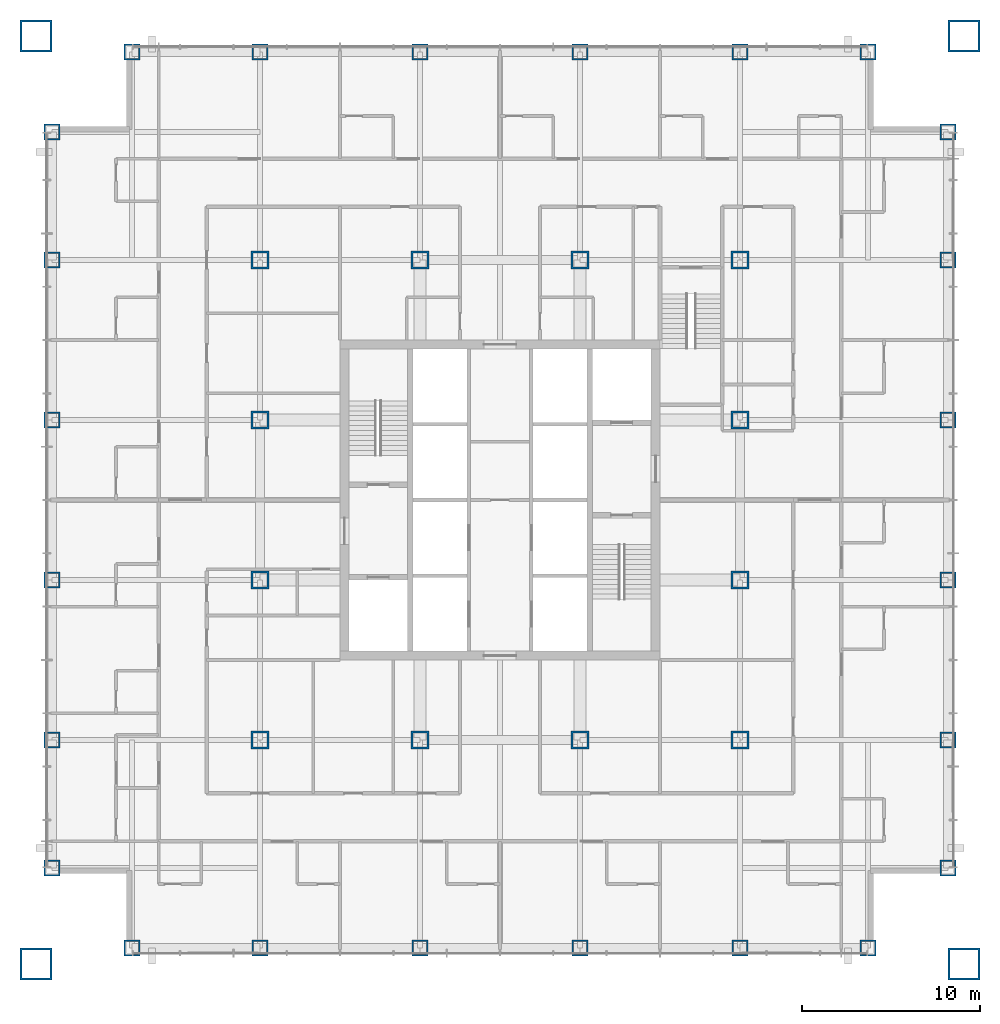
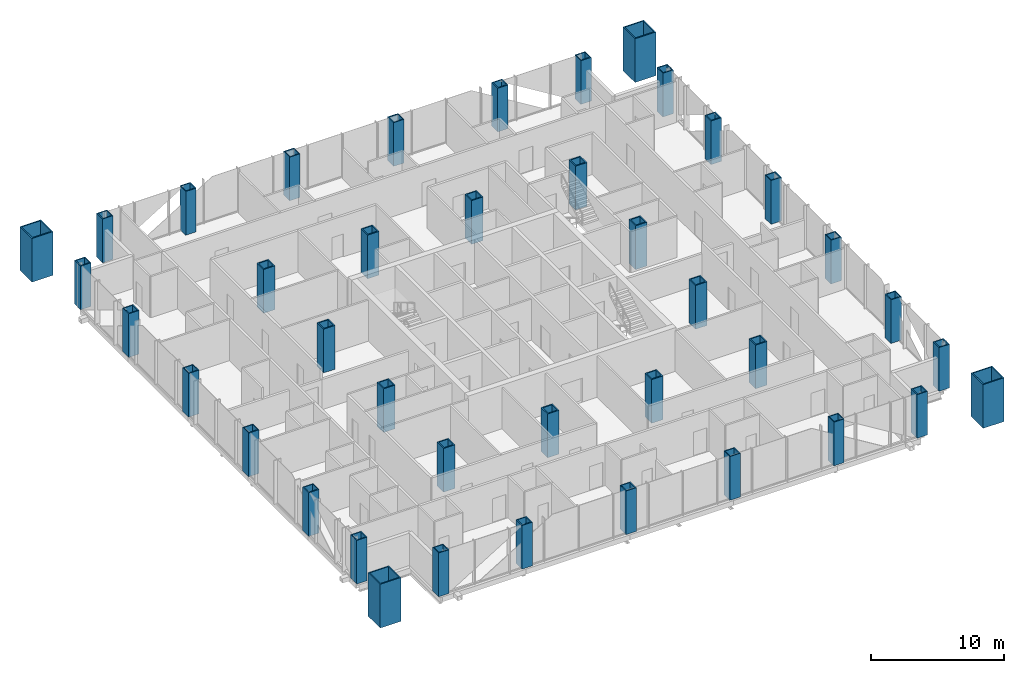
# One storey, part 1 of 13: 40 columns.
"""IFC4 building model written with IfcOpenShell, lengths in metres."""

from ifc_helpers import new_model, si_unit, direction, frame, origin, origin_2d, place, context, subcontext, project, spatial, hollow_rectangle, extrude, material, material_profile, profile_set, type_object, element, save


model = new_model("IFC4")

# Units and contexts
model_context = context("Model", 3, precision=1e-05, world=origin(), true_north=direction((0.0, 1.0)))
body_context = subcontext(model_context, "Body", "Model", "MODEL_VIEW")
ifc_project = project(units=[si_unit("LENGTHUNIT", "METRE"), si_unit("AREAUNIT", "SQUARE_METRE"), si_unit("VOLUMEUNIT", "CUBIC_METRE"), si_unit("PLANEANGLEUNIT", "RADIAN"), si_unit("MASSUNIT", "GRAM", prefix="KILO")], contexts=[model_context])

# Site, building, storey
site_placement = place(None, origin())
site = spatial("IfcSite", under=ifc_project, at=site_placement, CompositionType="ELEMENT")
building_placement = place(site_placement, origin())
building = spatial("IfcBuilding", under=site, at=building_placement, Name="Malebo Sky Hospital", CompositionType="ELEMENT")
storey_placement = place(building_placement, frame((0.0, 0.0, 67.0)))
storey = spatial("IfcBuildingStorey", under=building, at=storey_placement, Name="L15", CompositionType="ELEMENT", Elevation=67.0)

# Columns
ifc_material = material(Name="Steel S460", Category="steel")
ifc_material_profile_1 = material_profile(ifc_material, hollow_rectangle(XDim=1.0, YDim=1.0, WallThickness=0.10009765625, at=origin_2d()), Name="BOX 1000x1000x100")
ifc_profile_set_1 = profile_set([ifc_material_profile_1], Name="Steel S460")
column_type_1 = type_object("IfcColumnType", Name="INNER COLUMN BOX 1000x1000x100", PredefinedType="COLUMN", material=ifc_profile_set_1)
for number, where, z_axis, x_axis, name in (
    (1, (46.5, 48.5, 0.0), (0.0, 0.0, 1.0), (1.0, 0.0, 0.0), "Column IC9 L15"),
    (2, (73.5, 48.5, 0.0), (0.0, 0.0, 1.0), (1.0, 0.0, 0.0), "Column IC9 L15"),
    (3, (73.5, 75.5, 0.0), (0.0, 0.0, 1.0), (1.0, 0.0, 0.0), "Column IC9 L15"),
    (4, (46.5, 75.5, 0.0), (0.0, 0.0, 1.0), (1.0, 0.0, 0.0), "Column IC9 L15"),
    (5, (55.5, 48.5, 0.0), (0.0, 0.0, 1.0), (1.0, 0.0, 0.0), "Column IC9 L15"),
    (6, (64.5, 48.5, 0.0), (0.0, 0.0, 1.0), (1.0, 0.0, 0.0), "Column IC9 L15"),
    (7, (55.5, 75.5, 0.0), (0.0, 0.0, 1.0), (1.0, 0.0, 0.0), "Column IC9 L15"),
    (8, (64.5, 75.5, 0.0), (0.0, 0.0, 1.0), (1.0, 0.0, 0.0), "Column IC9 L15"),
    (9, (46.5, 57.5, 0.0), (0.0, 0.0, 1.0), (1.0, 0.0, 0.0), "Column IC9 L15"),
    (10, (46.5, 66.5, 0.0), (0.0, 0.0, 1.0), (1.0, 0.0, 0.0), "Column IC9 L15"),
    (11, (73.5, 57.5, 0.0), (0.0, 0.0, 1.0), (1.0, 0.0, 0.0), "Column IC9 L15"),
    (12, (73.5, 66.5, 0.0), (0.0, 0.0, 1.0), (1.0, 0.0, 0.0), "Column IC9 L15"),
):
    element("IfcColumn", number, at=place(storey_placement, frame(where, z_axis=z_axis, x_axis=x_axis)), inside=storey, type_object=column_type_1, Name=name, PredefinedType="COLUMN", context=body_context, shape_type="SweptSolid", body=[
        extrude(hollow_rectangle(XDim=1.0, YDim=1.0, WallThickness=0.10009765625, at=origin_2d()), origin(), (0.0, 0.0, 1.0), 4.0),
    ])
ifc_material_profile_2 = material_profile(ifc_material, hollow_rectangle(XDim=1.800048828125, YDim=1.800048828125, WallThickness=0.10009765625, at=origin_2d()), Name="BOX 1800x1800x100")
ifc_profile_set_2 = profile_set([ifc_material_profile_2], Name="Steel S460")
column_type_2 = type_object("IfcColumnType", Name="MEGA COLUMN BOX 1800x1800x100", PredefinedType="COLUMN", material=ifc_profile_set_2)
for number, where, z_axis, x_axis, name in (
    (13, (33.89990234375, 35.89990234375, 0.0), (0.0, 0.0, 1.0), (1.0, 0.0, 0.0), "Mega column SW L15"),
    (14, (86.10009765625, 35.89990234375, 0.0), (0.0, 0.0, 1.0), (1.0, 0.0, 0.0), "Mega column SE L15"),
    (15, (86.10009765625, 88.10009765625, 0.0), (0.0, 0.0, 1.0), (1.0, 0.0, 0.0), "Mega column NE L15"),
    (16, (33.89990234375, 88.10009765625, 0.0), (0.0, 0.0, 1.0), (1.0, 0.0, 0.0), "Mega column NW L15"),
):
    element("IfcColumn", number, at=place(storey_placement, frame(where, z_axis=z_axis, x_axis=x_axis)), inside=storey, type_object=column_type_2, Name=name, PredefinedType="COLUMN", context=body_context, shape_type="SweptSolid", body=[
        extrude(hollow_rectangle(XDim=1.800048828125, YDim=1.800048828125, WallThickness=0.10009765625, at=origin_2d()), origin(), (0.0, 0.0, 1.0), 4.0),
    ])
ifc_material_profile_3 = material_profile(ifc_material, hollow_rectangle(XDim=0.89990234375, YDim=0.89990234375, WallThickness=0.080078125, at=origin_2d()), Name="BOX 900x900x80")
ifc_profile_set_3 = profile_set([ifc_material_profile_3], Name="Steel S460")
column_type_3 = type_object("IfcColumnType", Name="PERIMETER COLUMN BOX 900x900x80", PredefinedType="COLUMN", material=ifc_profile_set_3)
for number, where, z_axis, x_axis, name in (
    (17, (39.300048828125, 36.800048828125, 0.0), (0.0, 0.0, 1.0), (1.0, 0.0, 0.0), "Column PC8 L15"),
    (18, (39.300048828125, 87.199951171875, 0.0), (0.0, 0.0, 1.0), (1.0, 0.0, 0.0), "Column PC8 L15"),
    (19, (34.800048828125, 41.300048828125, 0.0), (0.0, 0.0, 1.0), (1.0, 0.0, 0.0), "Column PC8 L15"),
    (20, (85.199951171875, 41.300048828125, 0.0), (0.0, 0.0, 1.0), (1.0, 0.0, 0.0), "Column PC8 L15"),
    (21, (46.5, 36.800048828125, 0.0), (0.0, 0.0, 1.0), (1.0, 0.0, 0.0), "Column PC8 L15"),
    (22, (46.5, 87.199951171875, 0.0), (0.0, 0.0, 1.0), (1.0, 0.0, 0.0), "Column PC8 L15"),
    (23, (34.800048828125, 48.5, 0.0), (0.0, 0.0, 1.0), (1.0, 0.0, 0.0), "Column PC8 L15"),
    (24, (85.199951171875, 48.5, 0.0), (0.0, 0.0, 1.0), (1.0, 0.0, 0.0), "Column PC8 L15"),
    (25, (55.5, 36.800048828125, 0.0), (0.0, 0.0, 1.0), (1.0, 0.0, 0.0), "Column PC8 L15"),
    (26, (55.5, 87.199951171875, 0.0), (0.0, 0.0, 1.0), (1.0, 0.0, 0.0), "Column PC8 L15"),
    (27, (34.800048828125, 57.5, 0.0), (0.0, 0.0, 1.0), (1.0, 0.0, 0.0), "Column PC8 L15"),
    (28, (85.199951171875, 57.5, 0.0), (0.0, 0.0, 1.0), (1.0, 0.0, 0.0), "Column PC8 L15"),
    (29, (64.5, 36.800048828125, 0.0), (0.0, 0.0, 1.0), (1.0, 0.0, 0.0), "Column PC8 L15"),
    (30, (64.5, 87.199951171875, 0.0), (0.0, 0.0, 1.0), (1.0, 0.0, 0.0), "Column PC8 L15"),
    (31, (34.800048828125, 66.5, 0.0), (0.0, 0.0, 1.0), (1.0, 0.0, 0.0), "Column PC8 L15"),
    (32, (85.199951171875, 66.5, 0.0), (0.0, 0.0, 1.0), (1.0, 0.0, 0.0), "Column PC8 L15"),
    (33, (73.5, 36.800048828125, 0.0), (0.0, 0.0, 1.0), (1.0, 0.0, 0.0), "Column PC8 L15"),
    (34, (73.5, 87.199951171875, 0.0), (0.0, 0.0, 1.0), (1.0, 0.0, 0.0), "Column PC8 L15"),
    (35, (34.800048828125, 75.5, 0.0), (0.0, 0.0, 1.0), (1.0, 0.0, 0.0), "Column PC8 L15"),
    (36, (85.199951171875, 75.5, 0.0), (0.0, 0.0, 1.0), (1.0, 0.0, 0.0), "Column PC8 L15"),
    (37, (80.699951171875, 36.800048828125, 0.0), (0.0, 0.0, 1.0), (1.0, 0.0, 0.0), "Column PC8 L15"),
    (38, (80.699951171875, 87.199951171875, 0.0), (0.0, 0.0, 1.0), (1.0, 0.0, 0.0), "Column PC8 L15"),
    (39, (34.800048828125, 82.699951171875, 0.0), (0.0, 0.0, 1.0), (1.0, 0.0, 0.0), "Column PC8 L15"),
    (40, (85.199951171875, 82.699951171875, 0.0), (0.0, 0.0, 1.0), (1.0, 0.0, 0.0), "Column PC8 L15"),
):
    element("IfcColumn", number, at=place(storey_placement, frame(where, z_axis=z_axis, x_axis=x_axis)), inside=storey, type_object=column_type_3, Name=name, PredefinedType="COLUMN", context=body_context, shape_type="SweptSolid", body=[
        extrude(hollow_rectangle(XDim=0.89990234375, YDim=0.89990234375, WallThickness=0.080078125, at=origin_2d()), origin(), (0.0, 0.0, 1.0), 4.0),
    ])

save(model, "model.ifc")
